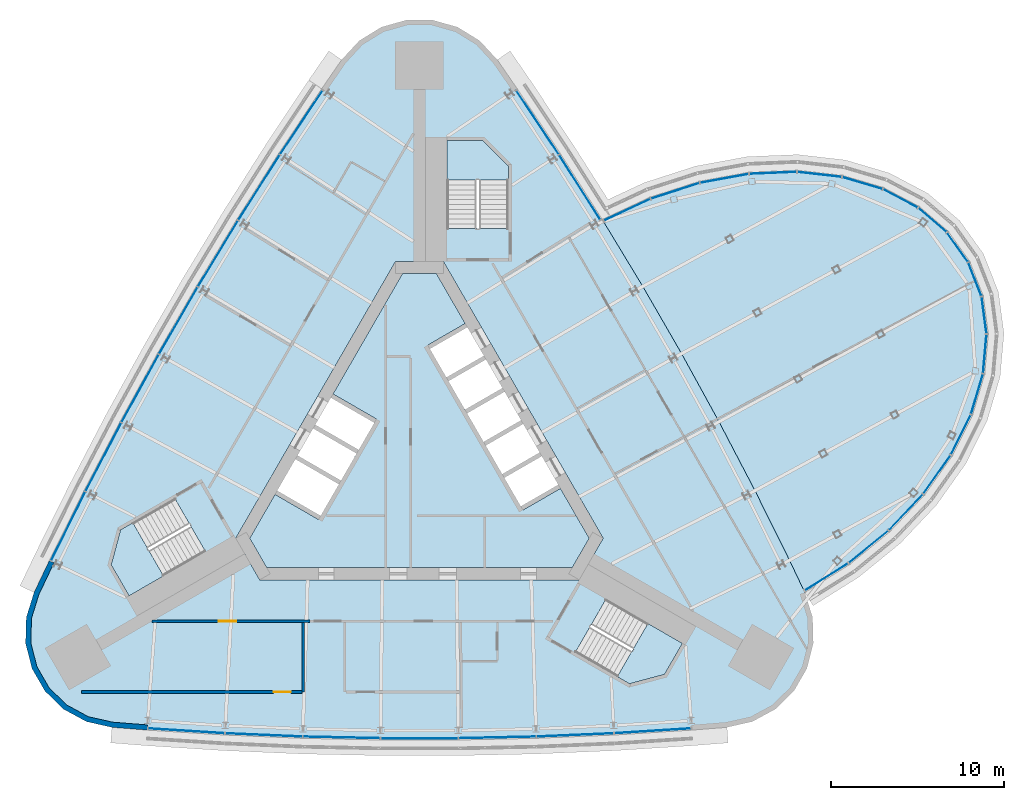
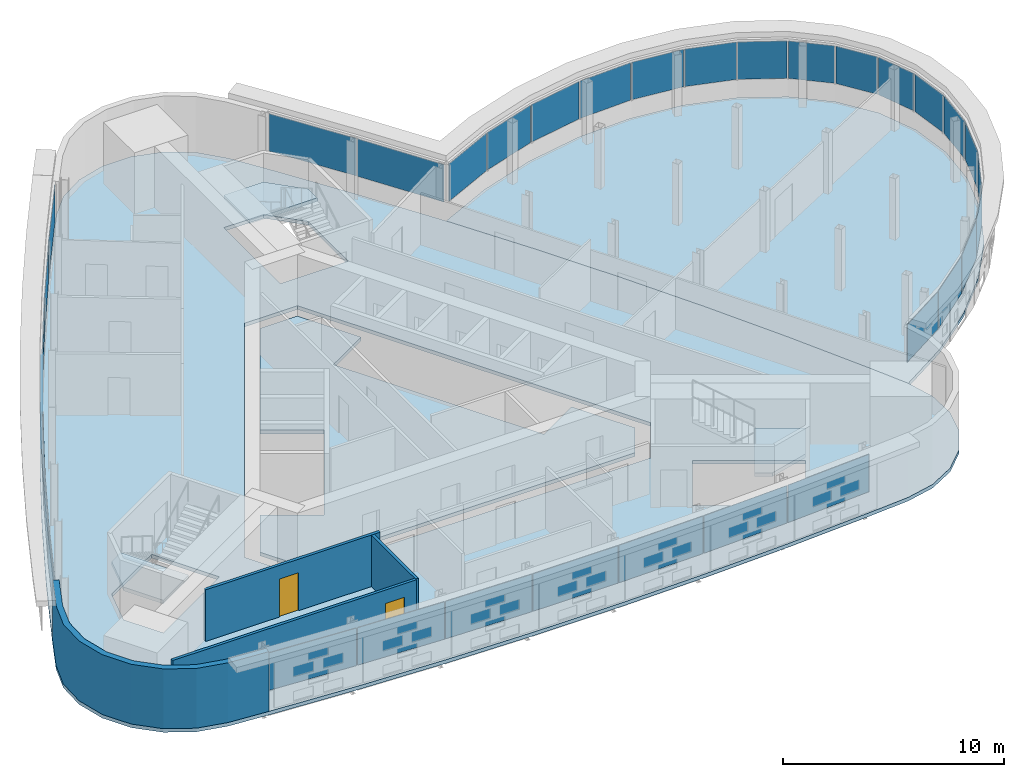
# One storey, part 9 of 15: 34 plates, 6 slabs, 4 walls, 2 doors, 2 openings, 7 elements without a shape of their own.
"""IFC4 building model written with IfcOpenShell, lengths in metres."""

from ifc_helpers import new_model, si_unit, direction, frame, frame_2d, origin, origin_2d, place, context, subcontext, project, spatial, polyline, rectangle, outline, extrude, material, layer, layer_set, type_object, element, fill, aggregate, save


model = new_model("IFC4")

# Units and contexts
model_context = context("Model", 3, precision=1e-05, world=origin(), true_north=direction((0.0, 1.0)))
body_context = subcontext(model_context, "Body", "Model", "MODEL_VIEW")
ifc_project = project(units=[si_unit("LENGTHUNIT", "METRE"), si_unit("AREAUNIT", "SQUARE_METRE"), si_unit("VOLUMEUNIT", "CUBIC_METRE"), si_unit("PLANEANGLEUNIT", "RADIAN"), si_unit("MASSUNIT", "GRAM", prefix="KILO")], contexts=[model_context])

# Site, building, storey
site_placement = place(None, origin())
site = spatial("IfcSite", under=ifc_project, at=site_placement, CompositionType="ELEMENT")
building_placement = place(site_placement, origin())
building = spatial("IfcBuilding", under=site, at=building_placement, Name="Noor Cloister Tower", CompositionType="ELEMENT")
storey_placement = place(building_placement, frame((0.0, 0.0, 177.89990234375)))
storey = spatial("IfcBuildingStorey", under=building, at=storey_placement, Name="L45", CompositionType="ELEMENT", Elevation=177.89990234375)

# Slabs
ifc_material_1 = material(Name="Concrete C40/50", Category="concrete")
ifc_layer_1 = layer(ifc_material_1, 0.199951171875)
ifc_layer_set_1 = layer_set([ifc_layer_1], Name="Core floor slab 200 C40/50")
slab_type_1 = type_object("IfcSlabType", Name="Core floor slab 200 C40/50", PredefinedType="FLOOR", material=ifc_layer_set_1)
slab_1_placement = place(storey_placement, frame((0.0, 0.0, -0.199951171875)))
element("IfcSlab", 1, at=slab_1_placement, inside=storey, type_object=slab_type_1, Name="Core floor L45", PredefinedType="FLOOR", context=body_context, shape_type="SweptSolid", body=[
    extrude(outline(polyline([(2.643798828125, 7.877197265625), (0.9814453125, 10.75634765625), (-0.9814453125, 10.75634765625), (-4.993896484375, 3.806884765625), (-2.482421875, 2.35693359375), (-5.832275390625, -3.4453125), (-8.34375, -1.995361328125), (-9.80615234375, -4.5283203125), (-8.82470703125, -6.228271484375), (8.82470703125, -6.228271484375), (9.80615234375, -4.5283203125), (8.143798828125, -1.64892578125), (5.978759765625, -2.89892578125), (0.478759765625, 6.627197265625), (2.643798828125, 7.877197265625)])), origin(), (0.0, 0.0, 1.0), 0.199951171875),
])
ifc_material_2 = material(Name="Concrete C40/50", Category="concrete")
ifc_layer_2 = layer(ifc_material_2, 0.199951171875)
ifc_layer_set_2 = layer_set([ifc_layer_2], Name="Floor slab 200 C40/50")
slab_type_2 = type_object("IfcSlabType", Name="Floor slab 200 C40/50", PredefinedType="FLOOR", material=ifc_layer_set_2)
slab_2_placement = place(storey_placement, frame((0.0, 0.0, -0.199951171875)))
element("IfcSlab", 2, at=slab_2_placement, inside=storey, type_object=slab_type_2, Name="Floor slab L45", PredefinedType="FLOOR", context=body_context, shape_type="SweptSolid", body=[
    extrude(outline(polyline([(4.496826171875, 23.113037109375), (3.47802734375, 24.2177734375), (2.197509765625, 25.00390625), (0.751220703125, 25.412353515625), (-0.751220703125, 25.412353515625), (-2.197509765625, 25.00390625), (-3.47802734375, 24.2177734375), (-4.496826171875, 23.113037109375), (-5.65234375, 21.43310546875), (-8.145263671875, 17.68701171875), (-10.55810546875, 13.888671875), (-12.89013671875, 10.0400390625), (-15.14013671875, 6.14306640625), (-17.30712890625, 2.19921875), (-19.389892578125, -1.78955078125), (-21.387939453125, -5.821533203125), (-22.264892578125, -7.662353515625), (-22.712158203125, -9.096923828125), (-22.752685546875, -10.598876953125), (-22.38330078125, -12.055419921875), (-21.632080078125, -13.35693359375), (-20.55517578125, -14.405029296875), (-19.234130859375, -15.120849609375), (-17.76806640625, -15.450927734375), (-15.735595703125, -15.611572265625), (-11.24462890625, -15.8974609375), (-6.748779296875, -16.087890625), (-2.25, -16.183349609375), (2.25, -16.183349609375), (6.748779296875, -16.087890625), (11.24462890625, -15.8974609375), (15.735595703125, -15.611572265625), (17.76806640625, -15.450927734375), (19.234130859375, -15.120849609375), (20.55517578125, -14.405029296875), (21.632080078125, -13.35693359375), (22.38330078125, -12.055419921875), (22.752685546875, -10.598876953125), (22.712158203125, -9.096923828125), (22.264892578125, -7.662353515625), (21.387939453125, -5.821533203125), (19.389892578125, -1.78955078125), (17.30712890625, 2.19921875), (15.14013671875, 6.14306640625), (12.89013671875, 10.0400390625), (10.55810546875, 13.888671875), (8.145263671875, 17.68701171875), (5.65234375, 21.43310546875), (4.496826171875, 23.113037109375)]), holes=[polyline([(8.999755859375, -11.126220703125), (12.131591796875, -12.934326171875), (14.1572265625, -12.3916015625), (15.19091796875, -10.601318359375), (10.774658203125, -8.0517578125), (8.999755859375, -11.126220703125)]), polyline([(-17.81005859375, -6.064697265625), (-16.776611328125, -7.85498046875), (-12.3603515625, -5.305419921875), (-14.13525390625, -2.23095703125), (-16.662841796875, -3.690185546875), (-17.267333984375, -4.039306640625), (-17.81005859375, -6.064697265625)]), polyline([(-10.6142578125, -4.5283203125), (-9.228759765625, -6.92822265625), (9.228759765625, -6.92822265625), (10.6142578125, -4.5283203125), (1.3857421875, 11.456298828125), (-1.3857421875, 11.456298828125), (-10.6142578125, -4.5283203125)]), polyline([(3.65283203125, 18.456298828125), (1.585693359375, 18.456298828125), (1.585693359375, 13.35693359375), (5.135498046875, 13.35693359375), (5.135498046875, 16.9736328125), (3.65283203125, 18.456298828125)])]), origin(), (0.0, 0.0, 1.0), 0.199951171875),
])

# Curtain wall, plates
ifc_material_3 = material(Name="Aluminium 6063-T6 anodised", Category="aluminium")
curtain_wall_type_1 = type_object("IfcCurtainWallType", Name="Sky bar curtain wall, lower bars CW2", PredefinedType="NOTDEFINED", material=ifc_material_3)
curtain_wall_1_placement = place(storey_placement, origin())
curtain_wall_1 = element("IfcCurtainWall", 3, at=curtain_wall_1_placement, inside=storey, type_object=curtain_wall_type_1, Name="CW2 L45 NE sky bar run 3", PredefinedType="NOTDEFINED")
ifc_material_4 = material(Name="Clear laminated glass 2 x 8 mm", Category="glass")
ifc_layer_3 = layer(ifc_material_4, 0.028076171875)
ifc_layer_set_3 = layer_set([ifc_layer_3], Name="Glass panel CW2")
plate_type_1 = type_object("IfcPlateType", Name="Glass panel CW2", PredefinedType="CURTAIN_PANEL", material=ifc_layer_set_3)
plate_1_placement = place(storey_placement, frame((23.516845703125, -6.761474609375, 1.08984375), z_axis=(0.0, 0.0, 1.0), x_axis=(0.84786689891, 0.530209130186, 0.0)))
plate_1 = element("IfcPlate", 4, at=plate_1_placement, type_object=plate_type_1, Name="CW2 glass panel 1", PredefinedType="CURTAIN_PANEL", context=body_context, shape_type="SweptSolid", body=[
    extrude(rectangle(XDim=2.938232421875, YDim=0.028076171875, at=origin_2d()), origin(), (0.0, 0.0, 1.0), 2.070068359375),
])
plate_2_placement = place(storey_placement, frame((25.945556640625, -5.024169921875, 1.08984375), z_axis=(0.0, 0.0, 1.0), x_axis=(0.775546572159, 0.63129035666, 0.0)))
plate_2 = element("IfcPlate", 5, at=plate_2_placement, type_object=plate_type_1, Name="CW2 glass panel 2", PredefinedType="CURTAIN_PANEL", context=body_context, shape_type="SweptSolid", body=[
    extrude(rectangle(XDim=2.925048828125, YDim=0.028076171875, at=origin_2d()), origin(), (0.0, 0.0, 1.0), 2.070068359375),
])
plate_3_placement = place(storey_placement, frame((28.09765625, -3.0302734375, 1.08984375), z_axis=(0.0, 0.0, 1.0), x_axis=(0.68700661368, 0.726651163049, 0.0)))
plate_3 = element("IfcPlate", 6, at=plate_3_placement, type_object=plate_type_1, Name="CW2 glass panel 3", PredefinedType="CURTAIN_PANEL", context=body_context, shape_type="SweptSolid", body=[
    extrude(rectangle(XDim=2.834716796875, YDim=0.028076171875, at=origin_2d()), origin(), (0.0, 0.0, 1.0), 2.070068359375),
])
plate_4_placement = place(storey_placement, frame((29.89306640625, -0.849365234375, 1.08984375), z_axis=(0.0, 0.0, 1.0), x_axis=(0.578620922196, 0.815596608868, 0.0)))
plate_4 = element("IfcPlate", 7, at=plate_4_placement, type_object=plate_type_1, Name="CW2 glass panel 4", PredefinedType="CURTAIN_PANEL", context=body_context, shape_type="SweptSolid", body=[
    extrude(rectangle(XDim=2.708251953125, YDim=0.028076171875, at=origin_2d()), origin(), (0.0, 0.0, 1.0), 2.070068359375),
])
plate_5_placement = place(storey_placement, frame((31.27734375, 1.451171875, 1.08984375), z_axis=(0.0, 0.0, 1.0), x_axis=(0.445709448306, 0.895177684982, 0.0)))
plate_5 = element("IfcPlate", 8, at=plate_5_placement, type_object=plate_type_1, Name="CW2 glass panel 5", PredefinedType="CURTAIN_PANEL", context=body_context, shape_type="SweptSolid", body=[
    extrude(rectangle(XDim=2.55712890625, YDim=0.028076171875, at=origin_2d()), origin(), (0.0, 0.0, 1.0), 2.070068359375),
])
plate_6_placement = place(storey_placement, frame((32.208740234375, 3.800537109375, 1.08984375), z_axis=(0.0, 0.0, 1.0), x_axis=(0.283470890203, 0.958980841523, 0.0)))
plate_6 = element("IfcPlate", 9, at=plate_6_placement, type_object=plate_type_1, Name="CW2 glass panel 6", PredefinedType="CURTAIN_PANEL", context=body_context, shape_type="SweptSolid", body=[
    extrude(rectangle(XDim=2.396240234375, YDim=0.028076171875, at=origin_2d()), origin(), (0.0, 0.0, 1.0), 2.070068359375),
])
plate_7_placement = place(storey_placement, frame((32.66015625, 6.126953125, 1.08984375), z_axis=(0.0, 0.0, 1.0), x_axis=(0.089432915774, 0.995992848155, 0.0)))
plate_7 = element("IfcPlate", 10, at=plate_7_placement, type_object=plate_type_1, Name="CW2 glass panel 7", PredefinedType="CURTAIN_PANEL", context=body_context, shape_type="SweptSolid", body=[
    extrude(rectangle(XDim=2.24560546875, YDim=0.028076171875, at=origin_2d()), origin(), (0.0, 0.0, 1.0), 2.070068359375),
])
plate_8_placement = place(storey_placement, frame((32.618896484375, 8.359130859375, 1.08984375), z_axis=(0.0, 0.0, 1.0), x_axis=(-0.131998823771, 0.991249872899, 0.0)))
plate_8 = element("IfcPlate", 11, at=plate_8_placement, type_object=plate_type_1, Name="CW2 glass panel 8", PredefinedType="CURTAIN_PANEL", context=body_context, shape_type="SweptSolid", body=[
    extrude(rectangle(XDim=2.126708984375, YDim=0.028076171875, at=origin_2d()), origin(), (0.0, 0.0, 1.0), 2.070068359375),
])
plate_9_placement = place(storey_placement, frame((32.087646484375, 10.430908203125, 1.08984375), z_axis=(0.0, 0.0, 1.0), x_axis=(-0.364789260282, 0.931090111419, 0.0)))
plate_9 = element("IfcPlate", 12, at=plate_9_placement, type_object=plate_type_1, Name="CW2 glass panel 9", PredefinedType="CURTAIN_PANEL", context=body_context, shape_type="SweptSolid", body=[
    extrude(rectangle(XDim=2.060791015625, YDim=0.028076171875, at=origin_2d()), origin(), (0.0, 0.0, 1.0), 2.070068359375),
])
plate_10_placement = place(storey_placement, frame((31.082763671875, 12.280517578125, 1.08984375), z_axis=(0.0, 0.0, 1.0), x_axis=(-0.582524001804, 0.812813500947, 0.0)))
plate_10 = element("IfcPlate", 13, at=plate_10_placement, type_object=plate_type_1, Name="CW2 glass panel 10", PredefinedType="CURTAIN_PANEL", context=body_context, shape_type="SweptSolid", body=[
    extrude(rectangle(XDim=2.060791015625, YDim=0.028076171875, at=origin_2d()), origin(), (0.0, 0.0, 1.0), 2.070068359375),
])
plate_11_placement = place(storey_placement, frame((29.634033203125, 13.853759765625, 1.08984375), z_axis=(0.0, 0.0, 1.0), x_axis=(-0.759700094363, 0.650273609049, 0.0)))
plate_11 = element("IfcPlate", 14, at=plate_11_placement, type_object=plate_type_1, Name="CW2 glass panel 11", PredefinedType="CURTAIN_PANEL", context=body_context, shape_type="SweptSolid", body=[
    extrude(rectangle(XDim=2.126708984375, YDim=0.028076171875, at=origin_2d()), origin(), (0.0, 0.0, 1.0), 2.070068359375),
])
plate_12_placement = place(storey_placement, frame((27.78369140625, 15.103515625, 1.08984375), z_axis=(0.0, 0.0, 1.0), x_axis=(-0.884205134097, 0.467098791303, 0.0)))
plate_12 = element("IfcPlate", 15, at=plate_12_placement, type_object=plate_type_1, Name="CW2 glass panel 12", PredefinedType="CURTAIN_PANEL", context=body_context, shape_type="SweptSolid", body=[
    extrude(rectangle(XDim=2.24560546875, YDim=0.028076171875, at=origin_2d()), origin(), (0.0, 0.0, 1.0), 2.070068359375),
])
plate_13_placement = place(storey_placement, frame((25.586669921875, 15.9912109375, 1.08984375), z_axis=(0.0, 0.0, 1.0), x_axis=(-0.958771871312, 0.284176879393, 0.0)))
plate_13 = element("IfcPlate", 16, at=plate_13_placement, type_object=plate_type_1, Name="CW2 glass panel 13", PredefinedType="CURTAIN_PANEL", context=body_context, shape_type="SweptSolid", body=[
    extrude(rectangle(XDim=2.396240234375, YDim=0.028076171875, at=origin_2d()), origin(), (0.0, 0.0, 1.0), 2.070068359375),
])
plate_14_placement = place(storey_placement, frame((23.108642578125, 16.488525390625, 1.08984375), z_axis=(0.0, 0.0, 1.0), x_axis=(-0.993555280194, 0.11334860034, 0.0)))
plate_14 = element("IfcPlate", 17, at=plate_14_placement, type_object=plate_type_1, Name="CW2 glass panel 14", PredefinedType="CURTAIN_PANEL", context=body_context, shape_type="SweptSolid", body=[
    extrude(rectangle(XDim=2.55712890625, YDim=0.028076171875, at=origin_2d()), origin(), (0.0, 0.0, 1.0), 2.070068359375),
])
plate_15_placement = place(storey_placement, frame((20.425537109375, 16.57958984375, 1.08984375), z_axis=(0.0, 0.0, 1.0), x_axis=(-0.999139934485, -0.041465543728, 0.0)))
plate_15 = element("IfcPlate", 18, at=plate_15_placement, type_object=plate_type_1, Name="CW2 glass panel 15", PredefinedType="CURTAIN_PANEL", context=body_context, shape_type="SweptSolid", body=[
    extrude(rectangle(XDim=2.708251953125, YDim=0.028076171875, at=origin_2d()), origin(), (0.0, 0.0, 1.0), 2.070068359375),
])
plate_16_placement = place(storey_placement, frame((17.61865234375, 16.26025390625, 1.08984375), z_axis=(0.0, 0.0, 1.0), x_axis=(-0.983519444247, -0.180802386011, 0.0)))
plate_16 = element("IfcPlate", 19, at=plate_16_placement, type_object=plate_type_1, Name="CW2 glass panel 16", PredefinedType="CURTAIN_PANEL", context=body_context, shape_type="SweptSolid", body=[
    extrude(rectangle(XDim=2.834716796875, YDim=0.028076171875, at=origin_2d()), origin(), (0.0, 0.0, 1.0), 2.070068359375),
])
plate_17_placement = place(storey_placement, frame((14.774658203125, 15.54052734375, 1.08984375), z_axis=(0.0, 0.0, 1.0), x_axis=(-0.951715077385, -0.306982754367, 0.0)))
plate_17 = element("IfcPlate", 20, at=plate_17_placement, type_object=plate_type_1, Name="CW2 glass panel 17", PredefinedType="CURTAIN_PANEL", context=body_context, shape_type="SweptSolid", body=[
    extrude(rectangle(XDim=2.925048828125, YDim=0.028076171875, at=origin_2d()), origin(), (0.0, 0.0, 1.0), 2.070068359375),
])
plate_18_placement = place(storey_placement, frame((11.995361328125, 14.448486328125, 1.08984375), z_axis=(0.0, 0.0, 1.0), x_axis=(-0.906283503485, -0.42267033408, 0.0)))
plate_18 = element("IfcPlate", 21, at=plate_18_placement, type_object=plate_type_1, Name="CW2 glass panel 18", PredefinedType="CURTAIN_PANEL", context=body_context, shape_type="SweptSolid", body=[
    extrude(rectangle(XDim=2.938232421875, YDim=0.028076171875, at=origin_2d()), origin(), (0.0, 0.0, 1.0), 2.070068359375),
])
aggregate(curtain_wall_1, [plate_1, plate_2, plate_3, plate_4, plate_5, plate_6, plate_7, plate_8, plate_9, plate_10, plate_11, plate_12, plate_13, plate_14, plate_15, plate_16, plate_17, plate_18])

ifc_material_5 = material(Name="Aluminium 6063-T6 anodised", Category="aluminium")
curtain_wall_type_2 = type_object("IfcCurtainWallType", Name="Ribbon curtain wall, upper tower CW5", PredefinedType="NOTDEFINED", material=ifc_material_5)
curtain_wall_2_placement = place(storey_placement, origin())
curtain_wall_2 = element("IfcCurtainWall", 22, at=curtain_wall_2_placement, inside=storey, type_object=curtain_wall_type_2, Name="CW5 L45 NW run 1", PredefinedType="NOTDEFINED")
ifc_material_6 = material(Name="Clear laminated glass 2 x 8 mm", Category="glass")
ifc_layer_4 = layer(ifc_material_6, 0.028076171875)
ifc_layer_set_4 = layer_set([ifc_layer_4], Name="Glass panel CW5")
plate_type_2 = type_object("IfcPlateType", Name="Glass panel CW5", PredefinedType="CURTAIN_PANEL", material=ifc_layer_set_4)
plate_19_placement = place(storey_placement, frame((-6.824951171875, 19.490478515625, 1.08984375), z_axis=(0.0, 0.0, 1.0), x_axis=(-0.553985210309, -0.832526508142, 0.0)))
plate_19 = element("IfcPlate", 23, at=plate_19_placement, type_object=plate_type_2, Name="CW5 glass panel 1", PredefinedType="CURTAIN_PANEL", context=body_context, shape_type="SweptSolid", body=[
    extrude(rectangle(XDim=4.413818359375, YDim=0.028076171875, at=origin_2d()), origin(), (0.0, 0.0, 1.0), 2.070068359375),
])
plate_20_placement = place(storey_placement, frame((-9.267333984375, 15.734130859375, 1.08984375), z_axis=(0.0, 0.0, 1.0), x_axis=(-0.536228033426, -0.844073158066, 0.0)))
plate_20 = element("IfcPlate", 24, at=plate_20_placement, type_object=plate_type_2, Name="CW5 glass panel 2", PredefinedType="CURTAIN_PANEL", context=body_context, shape_type="SweptSolid", body=[
    extrude(rectangle(XDim=4.44775390625, YDim=0.028076171875, at=origin_2d()), origin(), (0.0, 0.0, 1.0), 2.070068359375),
])
plate_21_placement = place(storey_placement, frame((-11.638671875, 11.91259765625, 1.08984375), z_axis=(0.0, 0.0, 1.0), x_axis=(-0.518230266954, -0.855241129982, 0.0)))
plate_21 = element("IfcPlate", 25, at=plate_21_placement, type_object=plate_type_2, Name="CW5 glass panel 3", PredefinedType="CURTAIN_PANEL", context=body_context, shape_type="SweptSolid", body=[
    extrude(rectangle(XDim=4.44775390625, YDim=0.028076171875, at=origin_2d()), origin(), (0.0, 0.0, 1.0), 2.070068359375),
])
plate_22_placement = place(storey_placement, frame((-13.928466796875, 8.041748046875, 1.08984375), z_axis=(0.0, 0.0, 1.0), x_axis=(-0.5, -0.866025403784, 0.0)))
plate_22 = element("IfcPlate", 26, at=plate_22_placement, type_object=plate_type_2, Name="CW5 glass panel 4", PredefinedType="CURTAIN_PANEL", context=body_context, shape_type="SweptSolid", body=[
    extrude(rectangle(XDim=4.44775390625, YDim=0.028076171875, at=origin_2d()), origin(), (0.0, 0.0, 1.0), 2.070068359375),
])
plate_23_placement = place(storey_placement, frame((-16.135986328125, 4.123046875, 1.08984375), z_axis=(0.0, 0.0, 1.0), x_axis=(-0.481545411448, -0.876421141183, 0.0)))
plate_23 = element("IfcPlate", 27, at=plate_23_placement, type_object=plate_type_2, Name="CW5 glass panel 5", PredefinedType="CURTAIN_PANEL", context=body_context, shape_type="SweptSolid", body=[
    extrude(rectangle(XDim=4.44775390625, YDim=0.028076171875, at=origin_2d()), origin(), (0.0, 0.0, 1.0), 2.070068359375),
])
plate_24_placement = place(storey_placement, frame((-18.259765625, 0.15869140625, 1.08984375), z_axis=(0.0, 0.0, 1.0), x_axis=(-0.462874780825, -0.886423678201, 0.0)))
plate_24 = element("IfcPlate", 28, at=plate_24_placement, type_object=plate_type_2, Name="CW5 glass panel 6", PredefinedType="CURTAIN_PANEL", context=body_context, shape_type="SweptSolid", body=[
    extrude(rectangle(XDim=4.44775390625, YDim=0.028076171875, at=origin_2d()), origin(), (0.0, 0.0, 1.0), 2.070068359375),
])
plate_25_placement = place(storey_placement, frame((-20.291748046875, -3.834716796875, 1.08984375), z_axis=(0.0, 0.0, 1.0), x_axis=(-0.44399650022, -0.89602851952, 0.0)))
plate_25 = element("IfcPlate", 29, at=plate_25_placement, type_object=plate_type_2, Name="CW5 glass panel 7", PredefinedType="CURTAIN_PANEL", context=body_context, shape_type="SweptSolid", body=[
    extrude(rectangle(XDim=4.413818359375, YDim=0.028076171875, at=origin_2d()), origin(), (0.0, 0.0, 1.0), 2.070068359375),
])
aggregate(curtain_wall_2, [plate_19, plate_20, plate_21, plate_22, plate_23, plate_24, plate_25])

curtain_wall_3_placement = place(storey_placement, origin())
curtain_wall_3 = element("IfcCurtainWall", 30, at=curtain_wall_3_placement, inside=storey, type_object=curtain_wall_type_2, Name="CW5 L45 S run 2", PredefinedType="NOTDEFINED")
plate_26_placement = place(storey_placement, frame((-13.466796875, -15.65576171875, 1.08984375), z_axis=(0.0, 0.0, 1.0), x_axis=(0.997981710529, -0.063502011378, 0.0)))
plate_26 = element("IfcPlate", 31, at=plate_26_placement, type_object=plate_type_2, Name="CW5 glass panel 1", PredefinedType="CURTAIN_PANEL", context=body_context, shape_type="SweptSolid", body=[
    extrude(rectangle(XDim=4.413818359375, YDim=0.028076171875, at=origin_2d()), origin(), (0.0, 0.0, 1.0), 2.070068359375),
])
plate_27_placement = place(storey_placement, frame((-8.99267578125, -15.892822265625, 1.08984375), z_axis=(0.0, 0.0, 1.0), x_axis=(0.999102814251, -0.042350520135, 0.0)))
plate_27 = element("IfcPlate", 32, at=plate_27_placement, type_object=plate_type_2, Name="CW5 glass panel 2", PredefinedType="CURTAIN_PANEL", context=body_context, shape_type="SweptSolid", body=[
    extrude(rectangle(XDim=4.44775390625, YDim=0.028076171875, at=origin_2d()), origin(), (0.0, 0.0, 1.0), 2.070068359375),
])
plate_28_placement = place(storey_placement, frame((-4.497314453125, -16.03564453125, 1.08984375), z_axis=(0.0, 0.0, 1.0), x_axis=(0.999775678403, -0.021180011201, 0.0)))
plate_28 = element("IfcPlate", 33, at=plate_28_placement, type_object=plate_type_2, Name="CW5 glass panel 3", PredefinedType="CURTAIN_PANEL", context=body_context, shape_type="SweptSolid", body=[
    extrude(rectangle(XDim=4.44775390625, YDim=0.028076171875, at=origin_2d()), origin(), (0.0, 0.0, 1.0), 2.070068359375),
])
plate_29_placement = place(storey_placement, frame((0.0, -16.083251953125, 1.08984375), z_axis=(0.0, 0.0, 1.0), x_axis=(1.0, 0.0, 0.0)))
plate_29 = element("IfcPlate", 34, at=plate_29_placement, type_object=plate_type_2, Name="CW5 glass panel 4", PredefinedType="CURTAIN_PANEL", context=body_context, shape_type="SweptSolid", body=[
    extrude(rectangle(XDim=4.44775390625, YDim=0.028076171875, at=origin_2d()), origin(), (0.0, 0.0, 1.0), 2.070068359375),
])
plate_30_placement = place(storey_placement, frame((4.497314453125, -16.03564453125, 1.08984375), z_axis=(0.0, 0.0, 1.0), x_axis=(0.999775678403, 0.021180011201, 0.0)))
plate_30 = element("IfcPlate", 35, at=plate_30_placement, type_object=plate_type_2, Name="CW5 glass panel 5", PredefinedType="CURTAIN_PANEL", context=body_context, shape_type="SweptSolid", body=[
    extrude(rectangle(XDim=4.44775390625, YDim=0.028076171875, at=origin_2d()), origin(), (0.0, 0.0, 1.0), 2.070068359375),
])
plate_31_placement = place(storey_placement, frame((8.99267578125, -15.892822265625, 1.08984375), z_axis=(0.0, 0.0, 1.0), x_axis=(0.999102814251, 0.042350520135, 0.0)))
plate_31 = element("IfcPlate", 36, at=plate_31_placement, type_object=plate_type_2, Name="CW5 glass panel 6", PredefinedType="CURTAIN_PANEL", context=body_context, shape_type="SweptSolid", body=[
    extrude(rectangle(XDim=4.44775390625, YDim=0.028076171875, at=origin_2d()), origin(), (0.0, 0.0, 1.0), 2.070068359375),
])
plate_32_placement = place(storey_placement, frame((13.466796875, -15.65576171875, 1.08984375), z_axis=(0.0, 0.0, 1.0), x_axis=(0.997981710529, 0.063502011378, 0.0)))
plate_32 = element("IfcPlate", 37, at=plate_32_placement, type_object=plate_type_2, Name="CW5 glass panel 7", PredefinedType="CURTAIN_PANEL", context=body_context, shape_type="SweptSolid", body=[
    extrude(rectangle(XDim=4.413818359375, YDim=0.028076171875, at=origin_2d()), origin(), (0.0, 0.0, 1.0), 2.070068359375),
])
aggregate(curtain_wall_3, [plate_26, plate_27, plate_28, plate_29, plate_30, plate_31, plate_32])

curtain_wall_4_placement = place(storey_placement, origin())
curtain_wall_4 = element("IfcCurtainWall", 38, at=curtain_wall_4_placement, inside=storey, type_object=curtain_wall_type_2, Name="CW5 L45 NE run 4", PredefinedType="NOTDEFINED")
plate_33_placement = place(storey_placement, frame((9.258056640625, 15.74853515625, 1.08984375), z_axis=(0.0, 0.0, 1.0), x_axis=(-0.536228033426, 0.844073158066, 0.0)))
plate_33 = element("IfcPlate", 39, at=plate_33_placement, type_object=plate_type_2, Name="CW5 glass panel 1", PredefinedType="CURTAIN_PANEL", context=body_context, shape_type="SweptSolid", body=[
    extrude(rectangle(XDim=4.413818359375, YDim=0.028076171875, at=origin_2d()), origin(), (0.0, 0.0, 1.0), 2.070068359375),
])
plate_34_placement = place(storey_placement, frame((6.824951171875, 19.490478515625, 1.08984375), z_axis=(0.0, 0.0, 1.0), x_axis=(-0.553985210309, 0.832526508142, 0.0)))
plate_34 = element("IfcPlate", 40, at=plate_34_placement, type_object=plate_type_2, Name="CW5 glass panel 2", PredefinedType="CURTAIN_PANEL", context=body_context, shape_type="SweptSolid", body=[
    extrude(rectangle(XDim=4.413818359375, YDim=0.028076171875, at=origin_2d()), origin(), (0.0, 0.0, 1.0), 2.070068359375),
])
aggregate(curtain_wall_4, [plate_33, plate_34])

# Slab
ifc_material_7 = material(Name="Concrete C40/50", Category="concrete")
ifc_layer_5 = layer(ifc_material_7, 0.199951171875)
ifc_layer_set_5 = layer_set([ifc_layer_5], Name="Pod floor slab 200")
slab_type_3 = type_object("IfcSlabType", Name="Pod floor slab 200", PredefinedType="FLOOR", material=ifc_layer_set_5)
slab_3_placement = place(storey_placement, frame((0.0, 0.0, -0.199951171875)))
element("IfcSlab", 41, at=slab_3_placement, inside=storey, type_object=slab_type_3, Name="Pod floor slab L45", PredefinedType="FLOOR", context=body_context, shape_type="SweptSolid", body=[
    extrude(outline(polyline([(22.264892578125, -7.662353515625), (24.84619140625, -6.048095703125), (27.17138671875, -4.155517578125), (29.16943359375, -2.0419921875), (30.780029296875, 0.22802734375), (31.953857421875, 2.5859375), (32.65576171875, 4.959716796875), (32.86376953125, 7.27734375), (32.572021484375, 9.468505859375), (31.7890625, 11.466552734375), (30.5390625, 13.210693359375), (28.85986328125, 14.648193359375), (26.80224609375, 15.735107421875), (24.428955078125, 16.4384765625), (21.81201171875, 16.737060546875), (19.03125, 16.62158203125), (16.170654296875, 16.095947265625), (13.3173828125, 15.175537109375), (10.55810546875, 13.888671875), (12.89013671875, 10.0400390625), (15.14013671875, 6.14306640625), (17.30712890625, 2.19921875), (19.389892578125, -1.78955078125), (21.387939453125, -5.821533203125), (22.264892578125, -7.662353515625)])), origin(), (0.0, 0.0, 1.0), 0.199951171875),
])

# Stair, slab
ifc_material_8 = material(Name="Concrete C40/50", Category="concrete")
stair_type = type_object("IfcStairType", Name="Exit stair 22 risers", PredefinedType="HALF_TURN_STAIR", material=ifc_material_8)
stair_1_placement = place(storey_placement, origin())
stair_1 = element("IfcStair", 42, at=stair_1_placement, inside=storey, type_object=stair_type, Name="Exit stair ST1 L45", PredefinedType="HALF_TURN_STAIR")
ifc_material_9 = material(Name="Concrete C40/50", Category="concrete")
ifc_layer_6 = layer(ifc_material_9, 0.199951171875)
ifc_layer_set_6 = layer_set([ifc_layer_6], Name="Stair landing 200 C40/50")
slab_type_4 = type_object("IfcSlabType", Name="Stair landing 200 C40/50", PredefinedType="LANDING", material=ifc_layer_set_6)
slab_4_placement = place(storey_placement, frame((0.0, 0.0, 1.60009765625)))
slab_4 = element("IfcSlab", 43, at=slab_4_placement, type_object=slab_type_4, Name="ST1 landing 1", PredefinedType="LANDING", context=body_context, shape_type="SweptSolid", body=[
    extrude(outline(polyline([(5.135498046875, 16.15576171875), (5.135498046875, 16.9736328125), (3.65283203125, 18.456298828125), (1.585693359375, 18.456298828125), (1.585693359375, 16.15576171875), (5.135498046875, 16.15576171875)])), origin(), (0.0, 0.0, 1.0), 0.199951171875),
])
aggregate(stair_1, [slab_4])

stair_2_placement = place(storey_placement, origin())
stair_2 = element("IfcStair", 44, at=stair_2_placement, inside=storey, type_object=stair_type, Name="Exit stair ST2 L45", PredefinedType="HALF_TURN_STAIR")
slab_5_placement = place(storey_placement, frame((0.0, 0.0, 1.60009765625)))
slab_5 = element("IfcSlab", 45, at=slab_5_placement, type_object=slab_type_4, Name="ST2 landing 1", PredefinedType="LANDING", context=body_context, shape_type="SweptSolid", body=[
    extrude(outline(polyline([(-16.55908203125, -3.63037109375), (-17.267333984375, -4.039306640625), (-17.81005859375, -6.064697265625), (-16.776611328125, -7.85498046875), (-14.7841796875, -6.70458984375), (-16.55908203125, -3.63037109375)])), origin(), (0.0, 0.0, 1.0), 0.199951171875),
])
aggregate(stair_2, [slab_5])

stair_3_placement = place(storey_placement, origin())
stair_3 = element("IfcStair", 46, at=stair_3_placement, inside=storey, type_object=stair_type, Name="Exit stair ST3 L45", PredefinedType="HALF_TURN_STAIR")
slab_6_placement = place(storey_placement, frame((0.0, 0.0, 1.60009765625)))
slab_6 = element("IfcSlab", 47, at=slab_6_placement, type_object=slab_type_4, Name="ST3 landing 1", PredefinedType="LANDING", context=body_context, shape_type="SweptSolid", body=[
    extrude(outline(polyline([(11.423583984375, -12.525390625), (12.131591796875, -12.934326171875), (14.1572265625, -12.3916015625), (15.19091796875, -10.601318359375), (13.198486328125, -9.451171875), (11.423583984375, -12.525390625)])), origin(), (0.0, 0.0, 1.0), 0.199951171875),
])
aggregate(stair_3, [slab_6])

# Wall, opening, door
ifc_material_10 = material(Name="Gypsum board partition on steel studs, 150 mm", Category="steel")
ifc_layer_7 = layer(ifc_material_10, 0.14990234375)
ifc_layer_set_7 = layer_set([ifc_layer_7], Name="Flat wall 150")
wall_type_1 = type_object("IfcWallType", Name="Flat wall 150", PredefinedType="PARTITIONING", material=ifc_layer_set_7)
wall_1_placement = place(storey_placement, frame((-15.45703125, -9.328125, 0.0), z_axis=(0.0, 0.0, 1.0), x_axis=(1.0, 0.0, 0.0)))
wall_1 = element("IfcWall", 48, at=wall_1_placement, inside=storey, type_object=wall_type_1, Name="Wall L45-W08", PredefinedType="PARTITIONING", context=body_context, shape_type="SweptSolid", body=[
    extrude(rectangle(XDim=9.123046875, YDim=0.14990234375, at=frame_2d((4.5615234375, 0.0))), origin(), (0.0, 0.0, 1.0), 2.84716796875),
])
opening_1_placement = place(wall_1_placement, frame((3.866943359375, 0.0, 0.0)))
opening_1 = element("IfcOpeningElement", 49, at=opening_1_placement, cuts=wall_1, Name="Opening L45-010", PredefinedType="OPENING", context=body_context, shape_type="SweptSolid", body=[
    extrude(rectangle(XDim=1.0, YDim=2.10009765625, at=frame_2d((0.5, 1.050048828125))), frame((0.0, 0.0849609375, 0.0), z_axis=(0.0, -1.0, 0.0), x_axis=(1.0, 0.0, 0.0)), (0.0, 0.0, 1.0), 0.169921875),
])
ifc_material_11 = material(Name="Timber door leaf with steel frame", Category="steel")
door_type = type_object("IfcDoorType", Name="Interior door 1000 FD60", OperationType="NOTDEFINED", PredefinedType="DOOR", material=ifc_material_11)
door_1_placement = place(opening_1_placement, origin())
door_1 = element("IfcDoor", 50, at=door_1_placement, inside=storey, type_object=door_type, Name="Door L45-010", OperationType="SINGLE_SWING_RIGHT", OverallHeight=2.10009765625, OverallWidth=1.0, PredefinedType="DOOR", context=body_context, shape_type="SweptSolid", body=[
    extrude(rectangle(XDim=1.0, YDim=2.10009765625, at=frame_2d((0.5, 1.050048828125))), frame((0.0, 0.02490234375, 0.0), z_axis=(0.0, -1.0, 0.0), x_axis=(1.0, 0.0, 0.0)), (0.0, 0.0, 1.0), 0.050048828125),
])
fill(opening_1, door_1)

# Wall
wall_2_placement = place(storey_placement, frame((-6.72314453125, -9.4033203125, 0.0), z_axis=(0.0, 0.0, 1.0), x_axis=(0.0, -1.0, 0.0)))
element("IfcWall", 51, at=wall_2_placement, inside=storey, type_object=wall_type_1, Name="Wall L45-W12", PredefinedType="PARTITIONING", context=body_context, shape_type="SweptSolid", body=[
    extrude(rectangle(XDim=4.004638671875, YDim=0.14990234375, at=frame_2d((2.00244140625, 0.0))), origin(), (0.0, 0.0, 1.0), 2.84716796875),
])

# Wall, opening, door
wall_3_placement = place(storey_placement, frame((-19.523193359375, -13.407958984375, 0.0), z_axis=(0.0, 0.0, 1.0), x_axis=(1.0, 0.0, 0.0)))
wall_3 = element("IfcWall", 52, at=wall_3_placement, inside=storey, type_object=wall_type_1, Name="Wall L45-W14", PredefinedType="PARTITIONING", context=body_context, shape_type="SweptSolid", body=[
    extrude(rectangle(XDim=12.72509765625, YDim=0.14990234375, at=frame_2d((6.362548828125, 0.0))), origin(), (0.0, 0.0, 1.0), 2.84716796875),
])
opening_2_placement = place(wall_3_placement, frame((11.100341796875, 0.0, 0.0)))
opening_2 = element("IfcOpeningElement", 53, at=opening_2_placement, cuts=wall_3, Name="Opening L45-009", PredefinedType="OPENING", context=body_context, shape_type="SweptSolid", body=[
    extrude(rectangle(XDim=1.0, YDim=2.10009765625, at=frame_2d((0.5, 1.050048828125))), frame((0.0, 0.0849609375, 0.0), z_axis=(0.0, -1.0, 0.0), x_axis=(1.0, 0.0, 0.0)), (0.0, 0.0, 1.0), 0.169921875),
])
door_2_placement = place(opening_2_placement, origin())
door_2 = element("IfcDoor", 54, at=door_2_placement, inside=storey, type_object=door_type, Name="Door L45-009", OperationType="SINGLE_SWING_LEFT", OverallHeight=2.10009765625, OverallWidth=1.0, PredefinedType="DOOR", context=body_context, shape_type="SweptSolid", body=[
    extrude(rectangle(XDim=1.0, YDim=2.10009765625, at=frame_2d((0.5, 1.050048828125))), frame((0.0, 0.02490234375, 0.0), z_axis=(0.0, -1.0, 0.0), x_axis=(1.0, 0.0, 0.0)), (0.0, 0.0, 1.0), 0.050048828125),
])
fill(opening_2, door_2)

# Wall
ifc_material_12 = material(Name="Limestone", Category="masonry")
ifc_layer_8 = layer(ifc_material_12, 0.300048828125)
ifc_layer_set_8 = layer_set([ifc_layer_8], Name="Limestone cladding 300")
wall_type_2 = type_object("IfcWallType", Name="Limestone cladding 300", PredefinedType="NOTDEFINED", material=ifc_layer_set_8)
wall_4_placement = place(storey_placement, origin())
element("IfcWall", 55, at=wall_4_placement, inside=storey, type_object=wall_type_2, Name="Limestone pier cladding L45 1.1", PredefinedType="NOTDEFINED", context=body_context, shape_type="SweptSolid", body=[
    extrude(outline(polyline([(-21.387939453125, -5.821533203125), (-22.264892578125, -7.662353515625), (-22.712158203125, -9.096923828125), (-22.752685546875, -10.598876953125), (-22.38330078125, -12.055419921875), (-21.632080078125, -13.35693359375), (-20.55517578125, -14.405029296875), (-19.234130859375, -15.120849609375), (-17.76806640625, -15.450927734375), (-15.735595703125, -15.611572265625), (-15.7119140625, -15.3125), (-17.72314453125, -15.153564453125), (-19.127685546875, -14.83740234375), (-20.375732421875, -14.160888671875), (-21.39306640625, -13.1708984375), (-22.102783203125, -11.94140625), (-22.45166015625, -10.5654296875), (-22.413330078125, -9.146484375), (-21.98486328125, -7.77197265625), (-21.116943359375, -5.95068359375), (-21.387939453125, -5.821533203125)])), origin(), (0.0, 0.0, 1.0), 3.300048828125),
])

save(model, "model.ifc")
